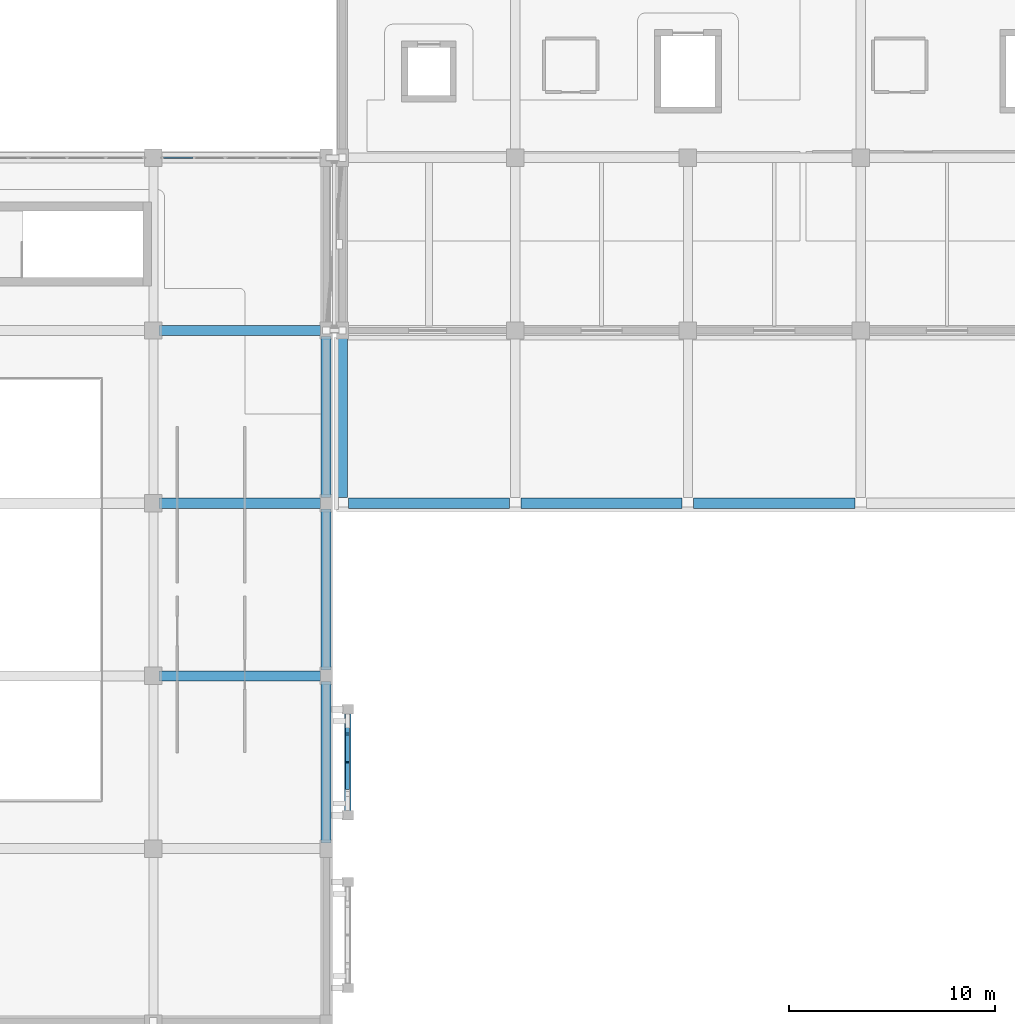
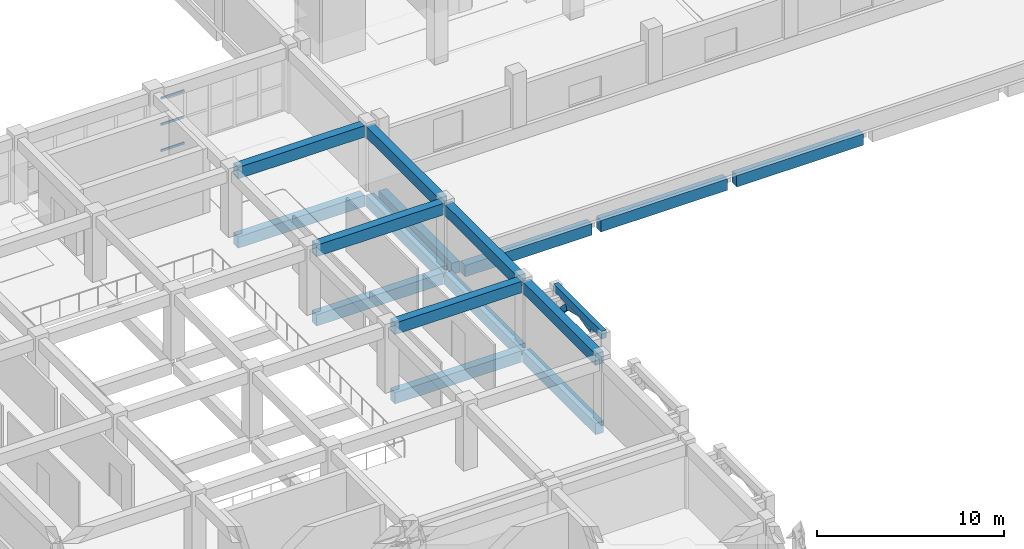
# One storey, part 67 of 129: 17 beams, 6 members, 1 element without a shape of its own.
"""IFC4 building model written with IfcOpenShell, lengths in metres."""

from ifc_helpers import new_model, si_unit, direction, frame, origin, origin_2d, place, context, subcontext, project, spatial, rectangle, hollow_rectangle, extrude, material, layer, layer_set, material_profile, profile_set, type_object, element, aggregate, save


model = new_model("IFC4")

# Units and contexts
model_context = context("Model", 3, precision=1e-05, world=origin(), true_north=direction((0.0, 1.0)))
body_context = subcontext(model_context, "Body", "Model", "MODEL_VIEW")
ifc_project = project(units=[si_unit("LENGTHUNIT", "METRE"), si_unit("AREAUNIT", "SQUARE_METRE"), si_unit("VOLUMEUNIT", "CUBIC_METRE"), si_unit("PLANEANGLEUNIT", "RADIAN"), si_unit("MASSUNIT", "GRAM", prefix="KILO")], contexts=[model_context])

# Site, building, storey
site_placement = place(None, origin())
site = spatial("IfcSite", under=ifc_project, at=site_placement, CompositionType="ELEMENT")
building_placement = place(site_placement, origin())
building = spatial("IfcBuilding", under=site, at=building_placement, Name="Xazarin Passage Department Store", CompositionType="ELEMENT")
storey_placement = place(building_placement, frame((0.0, 0.0, 9.89990234375)))
storey = spatial("IfcBuildingStorey", under=building, at=storey_placement, Name="L02", CompositionType="ELEMENT", Elevation=9.89990234375)

# Curtain wall, members
ifc_material_1 = material(Name="Bronze anodised aluminium", Category="aluminium")
ifc_layer = layer(ifc_material_1, 0.169921875)
ifc_layer_set = layer_set([ifc_layer], Name="Bronze anodised aluminium")
curtain_wall_type = type_object("IfcCurtainWallType", Name="ARC-CW-ARC2", PredefinedType="NOTDEFINED", material=ifc_layer_set)
curtain_wall_placement = place(storey_placement, origin())
curtain_wall = element("IfcCurtainWall", 1, at=curtain_wall_placement, inside=storey, type_object=curtain_wall_type, Name="L02 V2N Curtain Wall 117", PredefinedType="NOTDEFINED")
ifc_material_profile_1 = material_profile(ifc_material_1, hollow_rectangle(XDim=0.06494140625, YDim=0.139892578125, WallThickness=0.00390625, at=origin_2d()), Name="ALU 65x140")
ifc_profile_set_1 = profile_set([ifc_material_profile_1], Name="Bronze anodised aluminium")
member_type_1 = type_object("IfcMemberType", Name="ARC-CWT-65x140", PredefinedType="USERDEFINED", material=ifc_profile_set_1)
member_1_placement = place(storey_placement, frame((93.68994140625, 93.199951171875, 0.03271484375), z_axis=(1.0, 0.0, 0.0), x_axis=(0.0, 1.0, 0.0)))
member_1 = element("IfcMember", 2, at=member_1_placement, type_object=member_type_1, Name="CW4 transom 1.1", ObjectType="TRANSOM", PredefinedType="USERDEFINED", context=body_context, shape_type="SweptSolid", body=[
    extrude(hollow_rectangle(XDim=0.06494140625, YDim=0.139892578125, WallThickness=0.00390625, at=origin_2d()), origin(), (0.0, 0.0, 1.0), 1.4375),
])
member_2_placement = place(storey_placement, frame((93.68994140625, 93.199951171875, 1.7451171875), z_axis=(1.0, 0.0, 0.0), x_axis=(0.0, 1.0, 0.0)))
member_2 = element("IfcMember", 3, at=member_2_placement, type_object=member_type_1, Name="CW4 transom 1.2", ObjectType="TRANSOM", PredefinedType="USERDEFINED", context=body_context, shape_type="SweptSolid", body=[
    extrude(hollow_rectangle(XDim=0.06494140625, YDim=0.139892578125, WallThickness=0.00390625, at=origin_2d()), origin(), (0.0, 0.0, 1.0), 1.4375),
])
member_3_placement = place(storey_placement, frame((93.68994140625, 93.199951171875, 3.45751953125), z_axis=(1.0, 0.0, 0.0), x_axis=(0.0, 1.0, 0.0)))
member_3 = element("IfcMember", 4, at=member_3_placement, type_object=member_type_1, Name="CW4 transom 1.3", ObjectType="TRANSOM", PredefinedType="USERDEFINED", context=body_context, shape_type="SweptSolid", body=[
    extrude(hollow_rectangle(XDim=0.06494140625, YDim=0.139892578125, WallThickness=0.00390625, at=origin_2d()), origin(), (0.0, 0.0, 1.0), 1.4375),
])
aggregate(curtain_wall, [member_1, member_2, member_3])

# Beams
ifc_material_2 = material(Name="Concrete C35/45", Category="concrete")
ifc_material_profile_2 = material_profile(ifc_material_2, rectangle(XDim=0.300048828125, YDim=0.5, at=origin_2d()), Name="RC 300x500")
ifc_profile_set_2 = profile_set([ifc_material_profile_2], Name="Concrete C35/45")
beam_type_1 = type_object("IfcBeamType", Name="STR-BM-LN300x500", PredefinedType="LINTEL", material=ifc_profile_set_2)
beam_1_placement = place(storey_placement, frame((102.64990234375, 61.219970703125, 4.25), z_axis=(0.0, 1.0, 0.0), x_axis=(-1.0, 0.0, 0.0)))
element("IfcBeam", 5, at=beam_1_placement, inside=storey, type_object=beam_type_1, Name="L02 V2N Colonnade Spandrel Beam 025", PredefinedType="LINTEL", context=body_context, shape_type="SweptSolid", body=[
    extrude(rectangle(XDim=0.300048828125, YDim=0.5, at=origin_2d()), origin(), (0.0, 0.0, 1.0), 5.159912109375),
])
ifc_material_profile_3 = material_profile(ifc_material_2, rectangle(XDim=0.5, YDim=0.75, at=origin_2d()), Name="RC 500x750")
ifc_profile_set_3 = profile_set([ifc_material_profile_3], Name="Concrete C35/45")
beam_type_2 = type_object("IfcBeamType", Name="STR-BM-SP500x750", PredefinedType="SPANDREL", material=ifc_profile_set_3)
for number, where, z_axis, x_axis, name in (
    (6, (93.47998046875, 68.0, -0.6748046875), (1.0, 0.0, 0.0), (0.0, 1.0, 0.0), "L02 Grid Beam K/13-14"),
    (7, (93.47998046875, 76.39990234375, -0.6748046875), (1.0, 0.0, 0.0), (0.0, 1.0, 0.0), "L02 Grid Beam L/13-14"),
    (8, (93.47998046875, 84.800048828125, -0.6748046875), (1.0, 0.0, 0.0), (0.0, 1.0, 0.0), "L02 Grid Beam M/13-14"),
    (9, (101.60009765625, 59.8798828125, -0.6748046875), (0.0, 1.0, 0.0), (-1.0, 0.0, 0.0), "L02 Grid Beam 14/J-K"),
    (10, (101.60009765625, 68.280029296875, -0.6748046875), (0.0, 1.0, 0.0), (-1.0, 0.0, 0.0), "L02 Grid Beam 14/K-L"),
    (11, (101.60009765625, 76.679931640625, -0.6748046875), (0.0, 1.0, 0.0), (-1.0, 0.0, 0.0), "L02 Grid Beam 14/L-M"),
    (12, (93.47998046875, 68.0, 3.864990234375), (1.0, 0.0, 0.0), (0.0, 1.0, 0.0), "L02 Grid Beam K/13-14"),
    (13, (93.47998046875, 76.39990234375, 3.864990234375), (1.0, 0.0, 0.0), (0.0, 1.0, 0.0), "L02 Grid Beam L/13-14"),
    (14, (93.47998046875, 84.800048828125, 3.864990234375), (1.0, 0.0, 0.0), (0.0, 1.0, 0.0), "L02 Grid Beam M/13-14"),
    (15, (101.60009765625, 59.8798828125, 3.864990234375), (0.0, 1.0, 0.0), (-1.0, 0.0, 0.0), "L02 Grid Beam 14/J-K"),
    (16, (101.60009765625, 68.280029296875, 3.864990234375), (0.0, 1.0, 0.0), (-1.0, 0.0, 0.0), "L02 Grid Beam 14/K-L"),
    (17, (101.60009765625, 76.679931640625, 3.864990234375), (0.0, 1.0, 0.0), (-1.0, 0.0, 0.0), "L02 Grid Beam 14/L-M"),
    (18, (102.679931640625, 76.39990234375, -0.6748046875), (1.0, 0.0, 0.0), (0.0, 1.0, 0.0), "L02 Grid Beam L/15-16"),
):
    element("IfcBeam", number, at=place(storey_placement, frame(where, z_axis=z_axis, x_axis=x_axis)), inside=storey, type_object=beam_type_2, Name=name, PredefinedType="SPANDREL", context=body_context, shape_type="SweptSolid", body=[
        extrude(rectangle(XDim=0.5, YDim=0.75, at=origin_2d()), origin(), (0.0, 0.0, 1.0), 7.840087890625),
    ])
beam_2_placement = place(storey_placement, frame((111.080078125, 76.39990234375, -0.6748046875), z_axis=(1.0, 0.0, 0.0), x_axis=(0.0, 1.0, 0.0)))
element("IfcBeam", 19, at=beam_2_placement, inside=storey, type_object=beam_type_2, Name="L02 Grid Beam L/16-17", PredefinedType="SPANDREL", context=body_context, shape_type="SweptSolid", body=[
    extrude(rectangle(XDim=0.5, YDim=0.75, at=origin_2d()), origin(), (0.0, 0.0, 1.0), 7.83984375),
])
for number, where, z_axis, x_axis, name in (
    (20, (119.47998046875, 76.39990234375, -0.6748046875), (1.0, 0.0, 0.0), (0.0, 1.0, 0.0), "L02 Grid Beam L/17-18"),
    (21, (102.39990234375, 76.679931640625, -0.6748046875), (0.0, 1.0, 0.0), (-1.0, 0.0, 0.0), "L02 Grid Beam 15/L-M"),
):
    element("IfcBeam", number, at=place(storey_placement, frame(where, z_axis=z_axis, x_axis=x_axis)), inside=storey, type_object=beam_type_2, Name=name, PredefinedType="SPANDREL", context=body_context, shape_type="SweptSolid", body=[
        extrude(rectangle(XDim=0.5, YDim=0.75, at=origin_2d()), origin(), (0.0, 0.0, 1.0), 7.840087890625),
    ])

# Members
ifc_material_3 = material(Name="Concrete C40/50", Category="concrete")
ifc_material_profile_4 = material_profile(ifc_material_3, rectangle(XDim=0.199951171875, YDim=0.360107421875, at=origin_2d()), Name="RC 200x360")
ifc_profile_set_4 = profile_set([ifc_material_profile_4], Name="Concrete C40/50")
member_type_2 = type_object("IfcMemberType", Name="STR-MEM-ARC360", PredefinedType="CHORD", material=ifc_profile_set_4)
for number, where, z_axis, x_axis, name in (
    (22, (102.64990234375, 62.510009765625, 3.7705078125), (0.0, 0.972393983317, 0.233345111818), (-1.0, 0.0, 0.0), "L02 V2N Pierced Lattice Curved Arch 025.2"),
    (23, (102.64990234375, 63.800048828125, 4.080078125), (0.0, 0.972393983317, -0.233345111818), (-1.0, 0.0, 0.0), "L02 V2N Pierced Lattice Curved Arch 025.3"),
):
    element("IfcMember", number, at=place(storey_placement, frame(where, z_axis=z_axis, x_axis=x_axis)), inside=storey, type_object=member_type_2, Name=name, PredefinedType="CHORD", context=body_context, shape_type="SweptSolid", body=[
        extrude(rectangle(XDim=0.199951171875, YDim=0.360107421875, at=origin_2d()), origin(), (0.0, 0.0, 1.0), 1.32666015625),
    ])
member_4_placement = place(storey_placement, frame((102.64990234375, 65.090087890625, 3.7705078125), z_axis=(0.0, 0.693391944082, -0.720560623322), x_axis=(-1.0, 0.0, 0.0)))
element("IfcMember", 24, at=member_4_placement, inside=storey, type_object=member_type_2, Name="L02 V2N Pierced Lattice Curved Arch 025.4", PredefinedType="CHORD", context=body_context, shape_type="SweptSolid", body=[
    extrude(rectangle(XDim=0.199951171875, YDim=0.360107421875, at=origin_2d()), origin(), (0.0, 0.0, 1.0), 1.860107421875),
])

save(model, "model.ifc")
